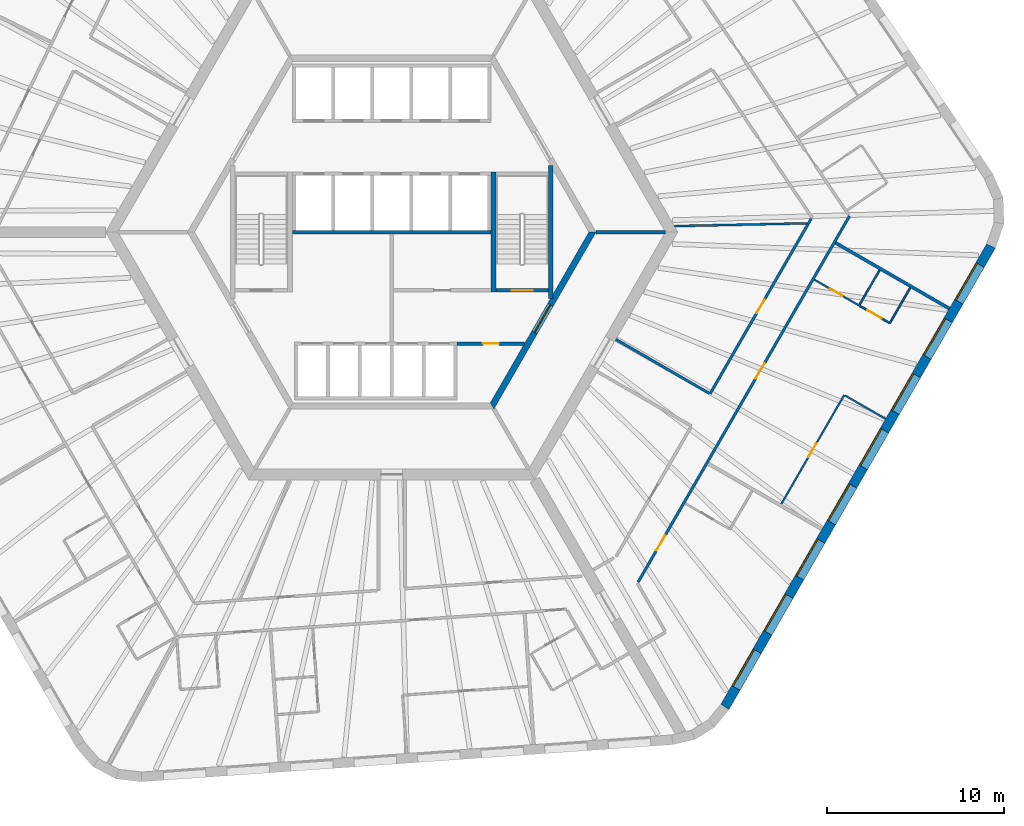
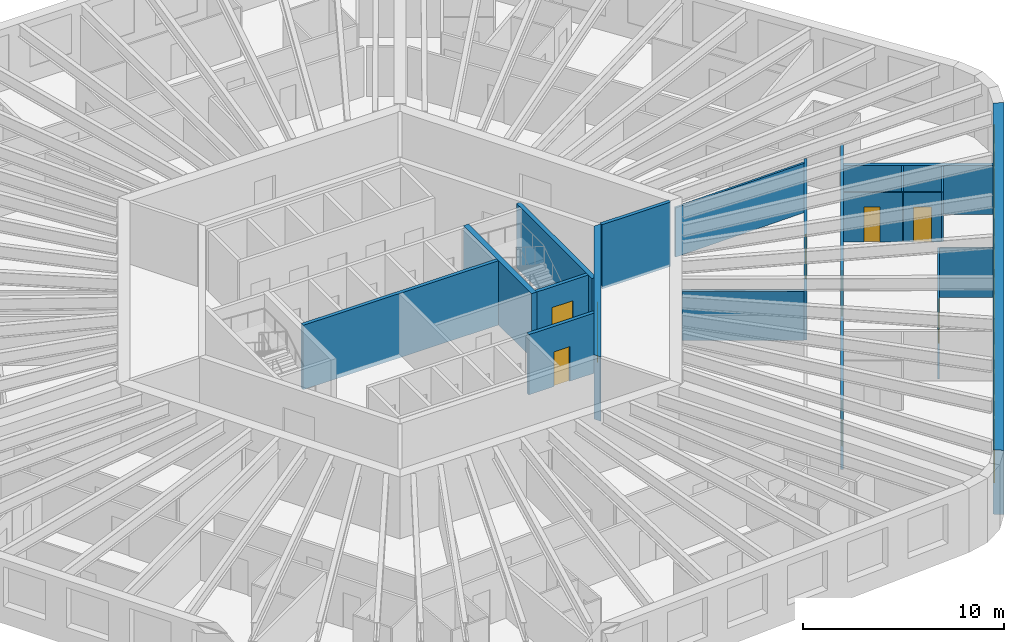
# One storey, part 6 of 12: 19 walls, 9 doors, 8 windows, 17 openings.
"""IFC4 building model written with IfcOpenShell, lengths in metres."""

from ifc_helpers import new_model, si_unit, direction, frame, frame_2d, origin, place, context, subcontext, project, spatial, polyline, rectangle, outline, extrude, material, layer, layer_set, type_object, element, fill, save


model = new_model("IFC4")

# Units and contexts
model_context = context("Model", 3, precision=1e-05, world=origin(), true_north=direction((0.0, 1.0)))
body_context = subcontext(model_context, "Body", "Model", "MODEL_VIEW")
ifc_project = project(units=[si_unit("LENGTHUNIT", "METRE"), si_unit("AREAUNIT", "SQUARE_METRE"), si_unit("VOLUMEUNIT", "CUBIC_METRE"), si_unit("PLANEANGLEUNIT", "RADIAN"), si_unit("MASSUNIT", "GRAM", prefix="KILO")], contexts=[model_context])

# Site, building, storey
site_placement = place(None, origin())
site = spatial("IfcSite", under=ifc_project, at=site_placement, CompositionType="ELEMENT")
building_placement = place(site_placement, origin())
building = spatial("IfcBuilding", under=site, at=building_placement, Name="Tarnside Tower", CompositionType="ELEMENT")
storey_placement = place(building_placement, frame((0.0, 0.0, 127.199951171875)))
storey = spatial("IfcBuildingStorey", under=building, at=storey_placement, Name="L29", CompositionType="ELEMENT", Elevation=127.199951171875)

# Wall, opening, door
ifc_material_1 = material(Name="Gypsum board partition on steel studs", Category="steel")
ifc_layer_1 = layer(ifc_material_1, 0.10009765625)
ifc_layer_set_1 = layer_set([ifc_layer_1], Name="Bathroom wall 100")
wall_type_1 = type_object("IfcWallType", Name="Bathroom wall 100", PredefinedType="PARTITIONING", material=ifc_layer_set_1)
wall_1_placement = place(storey_placement, frame((26.412841796875, -4.151611328125, 0.0), z_axis=(0.0, 0.0, 1.0), x_axis=(-0.86601045545, 0.500025890382, 0.0)))
wall_1 = element("IfcWall", 1, at=wall_1_placement, inside=storey, type_object=wall_type_1, Name="Bathroom wall 09148", PredefinedType="PARTITIONING", context=body_context, shape_type="SweptSolid", body=[
    extrude(rectangle(XDim=2.925048828125, YDim=0.10009765625, at=frame_2d((1.46240234375, 0.0))), origin(), (0.0, 0.0, 1.0), 2.98779296875),
])
opening_1_placement = place(wall_1_placement, frame((1.10009765625, 0.0, 0.0)))
opening_1 = element("IfcOpeningElement", 2, at=opening_1_placement, cuts=wall_1, Name="Opening D-B1", PredefinedType="OPENING", context=body_context, shape_type="SweptSolid", body=[
    extrude(rectangle(XDim=0.800048828125, YDim=2.10009765625, at=frame_2d((0.39990234375, 1.050048828125))), frame((0.0, 0.06005859375, 0.0), z_axis=(0.0, -1.0, 0.0), x_axis=(1.0, 0.0, 0.0)), (0.0, 0.0, 1.0), 0.1201171875),
])
ifc_material_2 = material(Name="Timber door leaf", Category="wood")
door_type_1 = type_object("IfcDoorType", Name="Bathroom door 800", OperationType="NOTDEFINED", PredefinedType="DOOR", material=ifc_material_2)
door_1_placement = place(opening_1_placement, origin())
door_1 = element("IfcDoor", 3, at=door_1_placement, inside=storey, type_object=door_type_1, Name="Bathroom door 09034", OperationType="SINGLE_SWING_LEFT", OverallHeight=2.10009765625, OverallWidth=0.800048828125, PredefinedType="DOOR", context=body_context, shape_type="SweptSolid", body=[
    extrude(rectangle(XDim=0.800048828125, YDim=2.10009765625, at=frame_2d((0.39990234375, 1.050048828125))), frame((0.0, 0.02490234375, 0.0), z_axis=(0.0, -1.0, 0.0), x_axis=(1.0, 0.0, 0.0)), (0.0, 0.0, 1.0), 0.050048828125),
])
fill(opening_1, door_1)

# Wall
wall_2_placement = place(storey_placement, frame((26.43798828125, -4.1083984375, 0.0), z_axis=(0.0, 0.0, 1.0), x_axis=(0.49995000081, 0.866054268906, 0.0)))
element("IfcWall", 4, at=wall_2_placement, inside=storey, type_object=wall_type_1, Name="Bathroom wall 09154", PredefinedType="PARTITIONING", context=body_context, shape_type="SweptSolid", body=[
    extrude(rectangle(XDim=2.260009765625, YDim=0.10009765625, at=frame_2d((1.1298828125, 0.0))), origin(), (0.0, 0.0, 1.0), 2.98779296875),
])

# Wall, opening, door
ifc_material_3 = material(Name="Concrete C50/60", Category="concrete")
ifc_layer_2 = layer(ifc_material_3, 0.35009765625)
ifc_layer_set_2 = layer_set([ifc_layer_2], Name="Core block wall 350 C50/60")
wall_type_2 = type_object("IfcWallType", Name="Core block wall 350 C50/60", PredefinedType="SHEAR", material=ifc_layer_set_2)
wall_3_placement = place(storey_placement, frame((5.672607421875, -9.824951171875, -0.14990234375), z_axis=(0.0, 0.0, 1.0), x_axis=(0.499995046907, 0.866028263435, 0.0)))
wall_3 = element("IfcWall", 5, at=wall_3_placement, inside=storey, type_object=wall_type_2, Name="L29 core block wall face 5", PredefinedType="SHEAR", context=body_context, shape_type="SweptSolid", body=[
    extrude(outline(polyline([(-0.10107421875, -0.175048828125), (11.44580078125, -0.175048828125), (11.24365234375, 0.175048828125), (0.10107421875, 0.175048828125), (-0.10107421875, -0.175048828125)])), origin(), (0.0, 0.0, 1.0), 3.89990234375),
])
opening_2_placement = place(wall_3_placement, frame((4.80126953125, 0.0, 0.14990234375)))
opening_2 = element("IfcOpeningElement", 6, at=opening_2_placement, cuts=wall_3, Name="Opening CD-FFL", PredefinedType="OPENING", context=body_context, shape_type="SweptSolid", body=[
    extrude(rectangle(XDim=1.800048828125, YDim=2.39990234375, at=frame_2d((0.89990234375, 1.199951171875))), frame((0.0, 0.18505859375, 0.0), z_axis=(0.0, -1.0, 0.0), x_axis=(1.0, 0.0, 0.0)), (0.0, 0.0, 1.0), 0.3701171875),
])
ifc_material_4 = material(Name="Steel fire door", Category="steel")
door_type_2 = type_object("IfcDoorType", Name="Firefighting lobby double door FD60S 1800x2400", OperationType="NOTDEFINED", PredefinedType="DOOR", material=ifc_material_4)
door_2_placement = place(opening_2_placement, origin())
door_2 = element("IfcDoor", 7, at=door_2_placement, inside=storey, type_object=door_type_2, Name="L29 lobby block door P4", OperationType="DOUBLE_DOOR_SINGLE_SWING", OverallHeight=2.39990234375, OverallWidth=1.800048828125, PredefinedType="DOOR", context=body_context, shape_type="SweptSolid", body=[
    extrude(rectangle(XDim=1.800048828125, YDim=2.39990234375, at=frame_2d((0.89990234375, 1.199951171875))), frame((0.0, 0.02490234375, 0.0), z_axis=(0.0, -1.0, 0.0), x_axis=(1.0, 0.0, 0.0)), (0.0, 0.0, 1.0), 0.050048828125),
])
fill(opening_2, door_2)

ifc_material_5 = material(Name="Concrete C40/50", Category="concrete")
ifc_layer_3 = layer(ifc_material_5, 0.199951171875)
ifc_layer_set_3 = layer_set([ifc_layer_3], Name="Core room partition 200 C40/50")
wall_type_3 = type_object("IfcWallType", Name="Core room partition 200 C40/50", PredefinedType="PARTITIONING", material=ifc_layer_set_3)
wall_4_placement = place(storey_placement, frame((3.699951171875, -6.300048828125, 0.0), z_axis=(0.0, 0.0, 1.0), x_axis=(1.0, 0.0, 0.0)))
wall_4 = element("IfcWall", 8, at=wall_4_placement, inside=storey, type_object=wall_type_3, Name="L29 core partition R4X", PredefinedType="PARTITIONING", context=body_context, shape_type="SweptSolid", body=[
    extrude(rectangle(XDim=3.8056640625, YDim=0.199951171875, at=frame_2d((1.90283203125, 0.0))), origin(), (0.0, 0.0, 1.0), 3.650146484375),
])
opening_3_placement = place(wall_4_placement, frame((1.452880859375, 0.0, 0.0)))
opening_3 = element("IfcOpeningElement", 9, at=opening_3_placement, cuts=wall_4, Name="Opening CD-room", PredefinedType="OPENING", context=body_context, shape_type="SweptSolid", body=[
    extrude(rectangle(XDim=0.89990234375, YDim=2.10009765625, at=frame_2d((0.449951171875, 1.050048828125))), frame((0.0, 0.10986328125, 0.0), z_axis=(0.0, -1.0, 0.0), x_axis=(1.0, 0.0, 0.0)), (0.0, 0.0, 1.0), 0.219970703125),
])
door_type_3 = type_object("IfcDoorType", Name="Room door FD60 900x2100", OperationType="NOTDEFINED", PredefinedType="DOOR", material=ifc_material_4)
door_3_placement = place(opening_3_placement, origin())
door_3 = element("IfcDoor", 10, at=door_3_placement, inside=storey, type_object=door_type_3, Name="L29 core room door RX", OperationType="SINGLE_SWING_LEFT", OverallHeight=2.10009765625, OverallWidth=0.89990234375, PredefinedType="DOOR", context=body_context, shape_type="SweptSolid", body=[
    extrude(rectangle(XDim=0.89990234375, YDim=2.10009765625, at=frame_2d((0.449951171875, 1.050048828125))), frame((0.0, 0.02490234375, 0.0), z_axis=(0.0, -1.0, 0.0), x_axis=(1.0, 0.0, 0.0)), (0.0, 0.0, 1.0), 0.050048828125),
])
fill(opening_3, door_3)

# Wall, openings, doors
ifc_layer_4 = layer(ifc_material_1, 0.14990234375)
ifc_layer_set_4 = layer_set([ifc_layer_4], Name="Corridor wall 150 EI 60")
wall_type_4 = type_object("IfcWallType", Name="Corridor wall 150 EI 60", PredefinedType="PARTITIONING", material=ifc_layer_set_4)
wall_5_placement = place(storey_placement, frame((13.928466796875, -19.77490234375, 0.0), z_axis=(0.0, 0.0, 1.0), x_axis=(0.50000450071, 0.866022805283, 0.0)))
wall_5 = element("IfcWall", 11, at=wall_5_placement, inside=storey, type_object=wall_type_4, Name="Corridor wall 09056", PredefinedType="PARTITIONING", context=body_context, shape_type="SweptSolid", body=[
    extrude(rectangle(XDim=23.877197265625, YDim=0.14990234375, at=frame_2d((11.9384765625, 0.0))), origin(), (0.0, 0.0, 1.0), 2.98779296875),
])
opening_4_placement = place(wall_5_placement, frame((2.04296875, 0.0, 0.0)))
opening_4 = element("IfcOpeningElement", 12, at=opening_4_placement, cuts=wall_5, Name="Opening D-E1", PredefinedType="OPENING", context=body_context, shape_type="SweptSolid", body=[
    extrude(rectangle(XDim=1.0, YDim=2.10009765625, at=frame_2d((0.5, 1.050048828125))), frame((0.0, 0.0849609375, 0.0), z_axis=(0.0, -1.0, 0.0), x_axis=(1.0, 0.0, 0.0)), (0.0, 0.0, 1.0), 0.169921875),
])
opening_5_placement = place(wall_5_placement, frame((13.2724609375, 0.0, 0.0)))
opening_5 = element("IfcOpeningElement", 13, at=opening_5_placement, cuts=wall_5, Name="Opening D-E1", PredefinedType="OPENING", context=body_context, shape_type="SweptSolid", body=[
    extrude(rectangle(XDim=1.0, YDim=2.10009765625, at=frame_2d((0.5, 1.050048828125))), frame((0.0, 0.0849609375, 0.0), z_axis=(0.0, -1.0, 0.0), x_axis=(1.0, 0.0, 0.0)), (0.0, 0.0, 1.0), 0.169921875),
])
door_type_4 = type_object("IfcDoorType", Name="Unit entrance door 1000 FD30S", OperationType="NOTDEFINED", PredefinedType="DOOR", material=ifc_material_2)
door_4_placement = place(opening_4_placement, origin())
door_4 = element("IfcDoor", 14, at=door_4_placement, inside=storey, type_object=door_type_4, Name="Unit door 09031", OperationType="SINGLE_SWING_RIGHT", OverallHeight=2.10009765625, OverallWidth=1.0, PredefinedType="DOOR", context=body_context, shape_type="SweptSolid", body=[
    extrude(rectangle(XDim=1.0, YDim=2.10009765625, at=frame_2d((0.5, 1.050048828125))), frame((0.0, 0.02490234375, 0.0), z_axis=(0.0, -1.0, 0.0), x_axis=(1.0, 0.0, 0.0)), (0.0, 0.0, 1.0), 0.050048828125),
])
fill(opening_4, door_4)
door_5_placement = place(opening_5_placement, origin())
door_5 = element("IfcDoor", 15, at=door_5_placement, inside=storey, type_object=door_type_4, Name="Unit door 09033", OperationType="SINGLE_SWING_RIGHT", OverallHeight=2.10009765625, OverallWidth=1.0, PredefinedType="DOOR", context=body_context, shape_type="SweptSolid", body=[
    extrude(rectangle(XDim=1.0, YDim=2.10009765625, at=frame_2d((0.5, 1.050048828125))), frame((0.0, 0.02490234375, 0.0), z_axis=(0.0, -1.0, 0.0), x_axis=(1.0, 0.0, 0.0)), (0.0, 0.0, 1.0), 0.050048828125),
])
fill(opening_5, door_5)

# Wall, opening, door
wall_6_placement = place(storey_placement, frame((23.704345703125, 0.757080078125, 0.0), z_axis=(0.0, 0.0, 1.0), x_axis=(-0.500010297365, -0.866019458516, 0.0)))
wall_6 = element("IfcWall", 16, at=wall_6_placement, inside=storey, type_object=wall_type_4, Name="Corridor wall 09071", PredefinedType="PARTITIONING", context=body_context, shape_type="SweptSolid", body=[
    extrude(rectangle(XDim=11.428955078125, YDim=0.14990234375, at=frame_2d((5.71435546875, 0.0))), origin(), (0.0, 0.0, 1.0), 2.98779296875),
])
opening_6_placement = place(wall_6_placement, frame((5.264404296875, 0.0, 0.0)))
opening_6 = element("IfcOpeningElement", 17, at=opening_6_placement, cuts=wall_6, Name="Opening D-S1", PredefinedType="OPENING", context=body_context, shape_type="SweptSolid", body=[
    extrude(rectangle(XDim=0.89990234375, YDim=2.10009765625, at=frame_2d((0.449951171875, 1.050048828125))), frame((0.0, 0.0849609375, 0.0), z_axis=(0.0, -1.0, 0.0), x_axis=(1.0, 0.0, 0.0)), (0.0, 0.0, 1.0), 0.169921875),
])
door_type_5 = type_object("IfcDoorType", Name="Service room door 900 FD30S", OperationType="NOTDEFINED", PredefinedType="DOOR", material=ifc_material_2)
door_6_placement = place(opening_6_placement, origin())
door_6 = element("IfcDoor", 18, at=door_6_placement, inside=storey, type_object=door_type_5, Name="Service door 09053", OperationType="SINGLE_SWING_RIGHT", OverallHeight=2.10009765625, OverallWidth=0.89990234375, PredefinedType="DOOR", context=body_context, shape_type="SweptSolid", body=[
    extrude(rectangle(XDim=0.89990234375, YDim=2.10009765625, at=frame_2d((0.449951171875, 1.050048828125))), frame((0.0, 0.02490234375, 0.0), z_axis=(0.0, -1.0, 0.0), x_axis=(1.0, 0.0, 0.0)), (0.0, 0.0, 1.0), 0.050048828125),
])
fill(opening_6, door_6)

# Walls
wall_7_placement = place(storey_placement, frame((17.9248046875, -9.103271484375, 0.0), z_axis=(0.0, 0.0, 1.0), x_axis=(-0.866013586754, 0.500020467139, 0.0)))
element("IfcWall", 19, at=wall_7_placement, inside=storey, type_object=wall_type_4, Name="Corridor wall 09072", PredefinedType="PARTITIONING", context=body_context, shape_type="SweptSolid", body=[
    extrude(rectangle(XDim=6.074951171875, YDim=0.14990234375, at=frame_2d((3.03759765625, 0.0))), origin(), (0.0, 0.0, 1.0), 2.98779296875),
])
ifc_layer_5 = layer(ifc_material_1, 0.179931640625)
ifc_layer_set_5 = layer_set([ifc_layer_5], Name="Demising wall 180 EI 60")
wall_type_5 = type_object("IfcWallType", Name="Demising wall 180 EI 60", PredefinedType="PARTITIONING", material=ifc_layer_set_5)
wall_8_placement = place(storey_placement, frame((31.510009765625, -4.322998046875, 0.0), z_axis=(0.0, 0.0, 1.0), x_axis=(-0.866028983062, 0.499993800457, 0.0)))
element("IfcWall", 20, at=wall_8_placement, inside=storey, type_object=wall_type_5, Name="Demising wall 09153", PredefinedType="PARTITIONING", context=body_context, shape_type="SweptSolid", body=[
    extrude(rectangle(XDim=7.4248046875, YDim=0.179931640625, at=frame_2d((3.71240234375, 0.0))), origin(), (0.0, 0.0, 1.0), 2.98779296875),
])
ifc_layer_6 = layer(ifc_material_5, 0.199951171875)
ifc_layer_set_6 = layer_set([ifc_layer_6], Name="Lift shaft wall 200 C40/50")
wall_type_6 = type_object("IfcWallType", Name="Lift shaft wall 200 C40/50", PredefinedType="SHEAR", material=ifc_layer_set_6)
wall_9_placement = place(storey_placement, frame((-5.60009765625, 0.0, -0.25), z_axis=(0.0, 0.0, 1.0), x_axis=(1.0, 0.0, 0.0)))
element("IfcWall", 21, at=wall_9_placement, inside=storey, type_object=wall_type_6, Name="L29 lift shaft back wall R2", PredefinedType="SHEAR", context=body_context, shape_type="SweptSolid", body=[
    extrude(rectangle(XDim=11.2001953125, YDim=0.199951171875, at=frame_2d((5.60009765625, 0.0))), origin(), (0.0, 0.0, 1.0), 3.900146484375),
])
wall_10_placement = place(storey_placement, frame((11.547119140625, 0.0, -0.14990234375), z_axis=(0.0, 0.0, 1.0), x_axis=(1.0, 0.0, 0.0)))
element("IfcWall", 22, at=wall_10_placement, inside=storey, type_object=wall_type_6, Name="L29 core partition AR0", PredefinedType="SHEAR", context=body_context, shape_type="SweptSolid", body=[
    extrude(rectangle(XDim=3.92578125, YDim=0.199951171875, at=frame_2d((1.962890625, 0.0))), origin(), (0.0, 0.0, 1.0), 3.89990234375),
])

# Wall, opening, door
wall_11_placement = place(storey_placement, frame((5.89990234375, -3.300048828125, -0.25), z_axis=(0.0, 0.0, 1.0), x_axis=(1.0, 0.0, 0.0)))
wall_11 = element("IfcWall", 23, at=wall_11_placement, inside=storey, type_object=wall_type_6, Name="L29 stair 1 enclosure cap wall s", PredefinedType="SHEAR", context=body_context, shape_type="SweptSolid", body=[
    extrude(rectangle(XDim=2.9501953125, YDim=0.199951171875, at=frame_2d((1.47509765625, 0.0))), origin(), (0.0, 0.0, 1.0), 3.900146484375),
])
opening_7_placement = place(wall_11_placement, frame((0.875, 0.0, 0.25)))
opening_7 = element("IfcOpeningElement", 24, at=opening_7_placement, cuts=wall_11, Name="Opening CD-STR", PredefinedType="OPENING", context=body_context, shape_type="SweptSolid", body=[
    extrude(rectangle(XDim=1.199951171875, YDim=2.39990234375, at=frame_2d((0.60009765625, 1.199951171875))), frame((0.0, 0.10986328125, 0.0), z_axis=(0.0, -1.0, 0.0), x_axis=(1.0, 0.0, 0.0)), (0.0, 0.0, 1.0), 0.219970703125),
])
door_type_6 = type_object("IfcDoorType", Name="Stair door FD60S 1200x2400", OperationType="NOTDEFINED", PredefinedType="DOOR", material=ifc_material_4)
door_7_placement = place(opening_7_placement, origin())
door_7 = element("IfcDoor", 25, at=door_7_placement, inside=storey, type_object=door_type_6, Name="L29 stair 1 door", OperationType="SINGLE_SWING_LEFT", OverallHeight=2.39990234375, OverallWidth=1.199951171875, PredefinedType="DOOR", context=body_context, shape_type="SweptSolid", body=[
    extrude(rectangle(XDim=1.199951171875, YDim=2.39990234375, at=frame_2d((0.60009765625, 1.199951171875))), frame((0.0, 0.02490234375, 0.0), z_axis=(0.0, -1.0, 0.0), x_axis=(1.0, 0.0, 0.0)), (0.0, 0.0, 1.0), 0.050048828125),
])
fill(opening_7, door_7)

# Wall
ifc_layer_7 = layer(ifc_material_1, 0.10009765625)
ifc_layer_set_7 = layer_set([ifc_layer_7], Name="Partition 100")
wall_type_7 = type_object("IfcWallType", Name="Partition 100", PredefinedType="PARTITIONING", material=ifc_layer_set_7)
wall_12_placement = place(storey_placement, frame((29.2998046875, -3.151123046875, 0.0), z_axis=(0.0, 0.0, 1.0), x_axis=(-0.499935939261, -0.866062386111, 0.0)))
element("IfcWall", 26, at=wall_12_placement, inside=storey, type_object=wall_type_7, Name="Partition wall 09149", PredefinedType="PARTITIONING", context=body_context, shape_type="SweptSolid", body=[
    extrude(rectangle(XDim=2.309814453125, YDim=0.10009765625, at=frame_2d((1.15478515625, 0.0))), origin(), (0.0, 0.0, 1.0), 2.98779296875),
])

# Wall, opening, door
wall_13_placement = place(storey_placement, frame((28.1015625, -5.12646484375, 0.0), z_axis=(0.0, 0.0, 1.0), x_axis=(-0.866044365799, 0.499967155389, 0.0)))
wall_13 = element("IfcWall", 27, at=wall_13_placement, inside=storey, type_object=wall_type_7, Name="Partition wall 09150", PredefinedType="PARTITIONING", context=body_context, shape_type="SweptSolid", body=[
    extrude(rectangle(XDim=1.900146484375, YDim=0.10009765625, at=frame_2d((0.9501953125, 0.0))), origin(), (0.0, 0.0, 1.0), 2.98779296875),
])
opening_8_placement = place(wall_13_placement, frame((0.5, 0.0, 0.0)))
opening_8 = element("IfcOpeningElement", 28, at=opening_8_placement, cuts=wall_13, Name="Opening D-I1", PredefinedType="OPENING", context=body_context, shape_type="SweptSolid", body=[
    extrude(rectangle(XDim=0.89990234375, YDim=2.10009765625, at=frame_2d((0.449951171875, 1.050048828125))), frame((0.0, 0.06005859375, 0.0), z_axis=(0.0, -1.0, 0.0), x_axis=(1.0, 0.0, 0.0)), (0.0, 0.0, 1.0), 0.1201171875),
])
door_type_7 = type_object("IfcDoorType", Name="Internal door 900", OperationType="NOTDEFINED", PredefinedType="DOOR", material=ifc_material_2)
door_8_placement = place(opening_8_placement, origin())
door_8 = element("IfcDoor", 29, at=door_8_placement, inside=storey, type_object=door_type_7, Name="Internal door 09035", OperationType="SINGLE_SWING_RIGHT", OverallHeight=2.10009765625, OverallWidth=0.89990234375, PredefinedType="DOOR", context=body_context, shape_type="SweptSolid", body=[
    extrude(rectangle(XDim=0.89990234375, YDim=2.10009765625, at=frame_2d((0.449951171875, 1.050048828125))), frame((0.0, 0.02490234375, 0.0), z_axis=(0.0, -1.0, 0.0), x_axis=(1.0, 0.0, 0.0)), (0.0, 0.0, 1.0), 0.050048828125),
])
fill(opening_8, door_8)

wall_14_placement = place(storey_placement, frame((22.0166015625, -15.365966796875, 0.0), z_axis=(0.0, 0.0, 1.0), x_axis=(0.5000167099, 0.866015756104, 0.0)))
wall_14 = element("IfcWall", 30, at=wall_14_placement, inside=storey, type_object=wall_type_7, Name="Partition wall 09151", PredefinedType="PARTITIONING", context=body_context, shape_type="SweptSolid", body=[
    extrude(rectangle(XDim=7.110107421875, YDim=0.10009765625, at=frame_2d((3.55517578125, 0.0))), origin(), (0.0, 0.0, 1.0), 2.98779296875),
])
opening_9_placement = place(wall_14_placement, frame((3.06005859375, 0.0, 0.0)))
opening_9 = element("IfcOpeningElement", 31, at=opening_9_placement, cuts=wall_14, Name="Opening D-I1", PredefinedType="OPENING", context=body_context, shape_type="SweptSolid", body=[
    extrude(rectangle(XDim=0.89990234375, YDim=2.10009765625, at=frame_2d((0.449951171875, 1.050048828125))), frame((0.0, 0.06005859375, 0.0), z_axis=(0.0, -1.0, 0.0), x_axis=(1.0, 0.0, 0.0)), (0.0, 0.0, 1.0), 0.1201171875),
])
door_9_placement = place(opening_9_placement, origin())
door_9 = element("IfcDoor", 32, at=door_9_placement, inside=storey, type_object=door_type_7, Name="Internal door 09036", OperationType="SINGLE_SWING_RIGHT", OverallHeight=2.10009765625, OverallWidth=0.89990234375, PredefinedType="DOOR", context=body_context, shape_type="SweptSolid", body=[
    extrude(rectangle(XDim=0.89990234375, YDim=2.10009765625, at=frame_2d((0.449951171875, 1.050048828125))), frame((0.0, 0.02490234375, 0.0), z_axis=(0.0, -1.0, 0.0), x_axis=(1.0, 0.0, 0.0)), (0.0, 0.0, 1.0), 0.050048828125),
])
fill(opening_9, door_9)

# Walls
wall_15_placement = place(storey_placement, frame((25.614990234375, -9.2333984375, 0.0), z_axis=(0.0, 0.0, 1.0), x_axis=(0.865989200783, -0.500062700197, 0.0)))
element("IfcWall", 33, at=wall_15_placement, inside=storey, type_object=wall_type_7, Name="Partition wall 09152", PredefinedType="PARTITIONING", context=body_context, shape_type="SweptSolid", body=[
    extrude(rectangle(XDim=2.650146484375, YDim=0.10009765625, at=frame_2d((1.3251953125, 0.0))), origin(), (0.0, 0.0, 1.0), 2.98779296875),
])
ifc_layer_8 = layer(ifc_material_1, 0.1201171875)
ifc_layer_set_8 = layer_set([ifc_layer_8], Name="Service room wall 120 EI 60")
wall_type_8 = type_object("IfcWallType", Name="Service room wall 120 EI 60", PredefinedType="PARTITIONING", material=ifc_layer_set_8)
wall_16_placement = place(storey_placement, frame((23.465576171875, 0.493408203125, 0.0), z_axis=(0.0, 0.0, 1.0), x_axis=(-0.999779281543, -0.021009240783, 0.0)))
element("IfcWall", 34, at=wall_16_placement, inside=storey, type_object=wall_type_8, Name="Service wall 09176", PredefinedType="PARTITIONING", context=body_context, shape_type="SweptSolid", body=[
    extrude(rectangle(XDim=7.495361328125, YDim=0.1201171875, at=frame_2d((3.74755859375, 0.0))), origin(), (0.0, 0.0, 1.0), 2.98779296875),
])
ifc_layer_9 = layer(ifc_material_5, 0.25)
ifc_layer_set_9 = layer_set([ifc_layer_9], Name="Stair enclosure wall 250 C40/50")
wall_type_9 = type_object("IfcWallType", Name="Stair enclosure wall 250 C40/50", PredefinedType="SHEAR", material=ifc_layer_set_9)
wall_17_placement = place(storey_placement, frame((8.97509765625, -3.7548828125, -0.25), z_axis=(0.0, 0.0, 1.0), x_axis=(0.0, 1.0, 0.0)))
element("IfcWall", 35, at=wall_17_placement, inside=storey, type_object=wall_type_9, Name="L29 stair 1 enclosure wall outer", PredefinedType="SHEAR", context=body_context, shape_type="SweptSolid", body=[
    extrude(rectangle(XDim=7.509765625, YDim=0.25, at=frame_2d((3.7548828125, 0.0))), origin(), (0.0, 0.0, 1.0), 3.900146484375),
])
ifc_layer_10 = layer(ifc_material_5, 0.300048828125)
ifc_layer_set_10 = layer_set([ifc_layer_10], Name="Stair enclosure wall 300 C40/50")
wall_type_10 = type_object("IfcWallType", Name="Stair enclosure wall 300 C40/50", PredefinedType="SHEAR", material=ifc_layer_set_10)
wall_18_placement = place(storey_placement, frame((5.75, -3.39990234375, -0.25), z_axis=(0.0, 0.0, 1.0), x_axis=(0.0, 1.0, 0.0)))
element("IfcWall", 36, at=wall_18_placement, inside=storey, type_object=wall_type_10, Name="L29 stair 1 enclosure wall inner", PredefinedType="SHEAR", context=body_context, shape_type="SweptSolid", body=[
    extrude(rectangle(XDim=6.7998046875, YDim=0.300048828125, at=frame_2d((3.39990234375, 0.0))), origin(), (0.0, 0.0, 1.0), 3.900146484375),
])

# Wall, openings, windows
ifc_material_6 = material(Name="Facing brick", Category="masonry")
ifc_layer_11 = layer(ifc_material_6, 0.10205078125)
ifc_material_7 = material(Name="Concrete C60/75 precast", Category="concrete")
ifc_layer_12 = layer(ifc_material_7, 0.347900390625)
ifc_material_8 = material(Name="Mineral wool insulation")
ifc_layer_13 = layer(ifc_material_8, 0.10009765625)
ifc_layer_set_11 = layer_set([ifc_layer_11, ifc_layer_12, ifc_layer_13], Name="Tube wall 550 brick faced")
wall_type_11 = type_object("IfcWallType", Name="Tube wall 550 brick faced", PredefinedType="SOLIDWALL", material=ifc_layer_set_11)
wall_19_placement = place(storey_placement, frame((18.830322265625, -26.834716796875, -0.14990234375), z_axis=(0.0, 0.0, 1.0), x_axis=(0.500003800416, 0.866023209602, 0.0)))
wall_19 = element("IfcWall", 37, at=wall_19_placement, inside=storey, type_object=wall_type_11, Name="Tube wall L29 F5 flush 16", PredefinedType="SOLIDWALL", context=body_context, shape_type="SweptSolid", body=[
    extrude(outline(polyline([(-0.0224609375, -0.27490234375), (30.0966796875, -0.27490234375), (30.04541015625, 0.27490234375), (0.0224609375, 0.27490234375), (-0.0224609375, -0.27490234375)])), origin(), (0.0, 0.0, 1.0), 3.89990234375),
])
opening_10_placement = place(wall_19_placement, frame((1.235595703125, 0.0, 1.050048828125)))
opening_10 = element("IfcOpeningElement", 38, at=opening_10_placement, cuts=wall_19, Name="Opening WH", PredefinedType="OPENING", context=body_context, shape_type="SweptSolid", body=[
    extrude(rectangle(XDim=2.39990234375, YDim=2.39990234375, at=frame_2d((1.199951171875, 1.199951171875))), frame((0.0, 0.28515625, 0.0), z_axis=(0.0, -1.0, 0.0), x_axis=(1.0, 0.0, 0.0)), (0.0, 0.0, 1.0), 0.570068359375),
])
opening_11_placement = place(wall_19_placement, frame((4.83544921875, 0.0, 1.050048828125)))
opening_11 = element("IfcOpeningElement", 39, at=opening_11_placement, cuts=wall_19, Name="Opening WH", PredefinedType="OPENING", context=body_context, shape_type="SweptSolid", body=[
    extrude(rectangle(XDim=2.39990234375, YDim=2.39990234375, at=frame_2d((1.199951171875, 1.199951171875))), frame((0.0, 0.28515625, 0.0), z_axis=(0.0, -1.0, 0.0), x_axis=(1.0, 0.0, 0.0)), (0.0, 0.0, 1.0), 0.570068359375),
])
opening_12_placement = place(wall_19_placement, frame((8.435546875, 0.0, 1.050048828125)))
opening_12 = element("IfcOpeningElement", 40, at=opening_12_placement, cuts=wall_19, Name="Opening WH", PredefinedType="OPENING", context=body_context, shape_type="SweptSolid", body=[
    extrude(rectangle(XDim=2.39990234375, YDim=2.39990234375, at=frame_2d((1.199951171875, 1.199951171875))), frame((0.0, 0.28515625, 0.0), z_axis=(0.0, -1.0, 0.0), x_axis=(1.0, 0.0, 0.0)), (0.0, 0.0, 1.0), 0.570068359375),
])
opening_13_placement = place(wall_19_placement, frame((12.035400390625, 0.0, 1.050048828125)))
opening_13 = element("IfcOpeningElement", 41, at=opening_13_placement, cuts=wall_19, Name="Opening WH", PredefinedType="OPENING", context=body_context, shape_type="SweptSolid", body=[
    extrude(rectangle(XDim=2.39990234375, YDim=2.39990234375, at=frame_2d((1.199951171875, 1.199951171875))), frame((0.0, 0.28515625, 0.0), z_axis=(0.0, -1.0, 0.0), x_axis=(1.0, 0.0, 0.0)), (0.0, 0.0, 1.0), 0.570068359375),
])
opening_14_placement = place(wall_19_placement, frame((15.635498046875, 0.0, 1.050048828125)))
opening_14 = element("IfcOpeningElement", 42, at=opening_14_placement, cuts=wall_19, Name="Opening WH", PredefinedType="OPENING", context=body_context, shape_type="SweptSolid", body=[
    extrude(rectangle(XDim=2.39990234375, YDim=2.39990234375, at=frame_2d((1.199951171875, 1.199951171875))), frame((0.0, 0.28515625, 0.0), z_axis=(0.0, -1.0, 0.0), x_axis=(1.0, 0.0, 0.0)), (0.0, 0.0, 1.0), 0.570068359375),
])
opening_15_placement = place(wall_19_placement, frame((19.235595703125, 0.0, 1.050048828125)))
opening_15 = element("IfcOpeningElement", 43, at=opening_15_placement, cuts=wall_19, Name="Opening WH", PredefinedType="OPENING", context=body_context, shape_type="SweptSolid", body=[
    extrude(rectangle(XDim=2.39990234375, YDim=2.39990234375, at=frame_2d((1.199951171875, 1.199951171875))), frame((0.0, 0.28515625, 0.0), z_axis=(0.0, -1.0, 0.0), x_axis=(1.0, 0.0, 0.0)), (0.0, 0.0, 1.0), 0.570068359375),
])
opening_16_placement = place(wall_19_placement, frame((22.83544921875, 0.0, 1.050048828125)))
opening_16 = element("IfcOpeningElement", 44, at=opening_16_placement, cuts=wall_19, Name="Opening WH", PredefinedType="OPENING", context=body_context, shape_type="SweptSolid", body=[
    extrude(rectangle(XDim=2.39990234375, YDim=2.39990234375, at=frame_2d((1.199951171875, 1.199951171875))), frame((0.0, 0.28515625, 0.0), z_axis=(0.0, -1.0, 0.0), x_axis=(1.0, 0.0, 0.0)), (0.0, 0.0, 1.0), 0.570068359375),
])
opening_17_placement = place(wall_19_placement, frame((26.435546875, 0.0, 1.050048828125)))
opening_17 = element("IfcOpeningElement", 45, at=opening_17_placement, cuts=wall_19, Name="Opening WH", PredefinedType="OPENING", context=body_context, shape_type="SweptSolid", body=[
    extrude(rectangle(XDim=2.39990234375, YDim=2.39990234375, at=frame_2d((1.199951171875, 1.199951171875))), frame((0.0, 0.28515625, 0.0), z_axis=(0.0, -1.0, 0.0), x_axis=(1.0, 0.0, 0.0)), (0.0, 0.0, 1.0), 0.570068359375),
])
ifc_material_9 = material(Name="Aluminium-framed double glazing", Category="aluminium")
window_type = type_object("IfcWindowType", Name="Hotel window 2400 x 2400", PartitioningType="DOUBLE_PANEL_VERTICAL", PredefinedType="WINDOW", material=ifc_material_9)
window_1_placement = place(opening_10_placement, frame((0.0, 0.205078125, 0.0)))
window_1 = element("IfcWindow", 46, at=window_1_placement, inside=storey, type_object=window_type, Name="E.WN.L29.F5.00", OverallHeight=2.39990234375, OverallWidth=2.39990234375, PartitioningType="DOUBLE_PANEL_VERTICAL", PredefinedType="WINDOW", context=body_context, shape_type="SweptSolid", body=[
    extrude(rectangle(XDim=2.39990234375, YDim=2.39990234375, at=frame_2d((1.199951171875, 1.199951171875))), frame((0.0, 0.030029296875, 0.0), z_axis=(0.0, -1.0, 0.0), x_axis=(1.0, 0.0, 0.0)), (0.0, 0.0, 1.0), 0.06005859375),
])
fill(opening_10, window_1)
window_2_placement = place(opening_11_placement, frame((0.0, 0.205078125, 0.0)))
window_2 = element("IfcWindow", 47, at=window_2_placement, inside=storey, type_object=window_type, Name="E.WN.L29.F5.01", OverallHeight=2.39990234375, OverallWidth=2.39990234375, PartitioningType="DOUBLE_PANEL_VERTICAL", PredefinedType="WINDOW", context=body_context, shape_type="SweptSolid", body=[
    extrude(rectangle(XDim=2.39990234375, YDim=2.39990234375, at=frame_2d((1.199951171875, 1.199951171875))), frame((0.0, 0.030029296875, 0.0), z_axis=(0.0, -1.0, 0.0), x_axis=(1.0, 0.0, 0.0)), (0.0, 0.0, 1.0), 0.06005859375),
])
fill(opening_11, window_2)
window_3_placement = place(opening_12_placement, frame((0.0, 0.205078125, 0.0)))
window_3 = element("IfcWindow", 48, at=window_3_placement, inside=storey, type_object=window_type, Name="E.WN.L29.F5.02", OverallHeight=2.39990234375, OverallWidth=2.39990234375, PartitioningType="DOUBLE_PANEL_VERTICAL", PredefinedType="WINDOW", context=body_context, shape_type="SweptSolid", body=[
    extrude(rectangle(XDim=2.39990234375, YDim=2.39990234375, at=frame_2d((1.199951171875, 1.199951171875))), frame((0.0, 0.030029296875, 0.0), z_axis=(0.0, -1.0, 0.0), x_axis=(1.0, 0.0, 0.0)), (0.0, 0.0, 1.0), 0.06005859375),
])
fill(opening_12, window_3)
window_4_placement = place(opening_13_placement, frame((0.0, 0.205078125, 0.0)))
window_4 = element("IfcWindow", 49, at=window_4_placement, inside=storey, type_object=window_type, Name="E.WN.L29.F5.03", OverallHeight=2.39990234375, OverallWidth=2.39990234375, PartitioningType="DOUBLE_PANEL_VERTICAL", PredefinedType="WINDOW", context=body_context, shape_type="SweptSolid", body=[
    extrude(rectangle(XDim=2.39990234375, YDim=2.39990234375, at=frame_2d((1.199951171875, 1.199951171875))), frame((0.0, 0.030029296875, 0.0), z_axis=(0.0, -1.0, 0.0), x_axis=(1.0, 0.0, 0.0)), (0.0, 0.0, 1.0), 0.06005859375),
])
fill(opening_13, window_4)
window_5_placement = place(opening_14_placement, frame((0.0, 0.205078125, 0.0)))
window_5 = element("IfcWindow", 50, at=window_5_placement, inside=storey, type_object=window_type, Name="E.WN.L29.F5.04", OverallHeight=2.39990234375, OverallWidth=2.39990234375, PartitioningType="DOUBLE_PANEL_VERTICAL", PredefinedType="WINDOW", context=body_context, shape_type="SweptSolid", body=[
    extrude(rectangle(XDim=2.39990234375, YDim=2.39990234375, at=frame_2d((1.199951171875, 1.199951171875))), frame((0.0, 0.030029296875, 0.0), z_axis=(0.0, -1.0, 0.0), x_axis=(1.0, 0.0, 0.0)), (0.0, 0.0, 1.0), 0.06005859375),
])
fill(opening_14, window_5)
window_6_placement = place(opening_15_placement, frame((0.0, 0.205078125, 0.0)))
window_6 = element("IfcWindow", 51, at=window_6_placement, inside=storey, type_object=window_type, Name="E.WN.L29.F5.05", OverallHeight=2.39990234375, OverallWidth=2.39990234375, PartitioningType="DOUBLE_PANEL_VERTICAL", PredefinedType="WINDOW", context=body_context, shape_type="SweptSolid", body=[
    extrude(rectangle(XDim=2.39990234375, YDim=2.39990234375, at=frame_2d((1.199951171875, 1.199951171875))), frame((0.0, 0.030029296875, 0.0), z_axis=(0.0, -1.0, 0.0), x_axis=(1.0, 0.0, 0.0)), (0.0, 0.0, 1.0), 0.06005859375),
])
fill(opening_15, window_6)
window_7_placement = place(opening_16_placement, frame((0.0, 0.205078125, 0.0)))
window_7 = element("IfcWindow", 52, at=window_7_placement, inside=storey, type_object=window_type, Name="E.WN.L29.F5.06", OverallHeight=2.39990234375, OverallWidth=2.39990234375, PartitioningType="DOUBLE_PANEL_VERTICAL", PredefinedType="WINDOW", context=body_context, shape_type="SweptSolid", body=[
    extrude(rectangle(XDim=2.39990234375, YDim=2.39990234375, at=frame_2d((1.199951171875, 1.199951171875))), frame((0.0, 0.030029296875, 0.0), z_axis=(0.0, -1.0, 0.0), x_axis=(1.0, 0.0, 0.0)), (0.0, 0.0, 1.0), 0.06005859375),
])
fill(opening_16, window_7)
window_8_placement = place(opening_17_placement, frame((0.0, 0.205078125, 0.0)))
window_8 = element("IfcWindow", 53, at=window_8_placement, inside=storey, type_object=window_type, Name="E.WN.L29.F5.07", OverallHeight=2.39990234375, OverallWidth=2.39990234375, PartitioningType="DOUBLE_PANEL_VERTICAL", PredefinedType="WINDOW", context=body_context, shape_type="SweptSolid", body=[
    extrude(rectangle(XDim=2.39990234375, YDim=2.39990234375, at=frame_2d((1.199951171875, 1.199951171875))), frame((0.0, 0.030029296875, 0.0), z_axis=(0.0, -1.0, 0.0), x_axis=(1.0, 0.0, 0.0)), (0.0, 0.0, 1.0), 0.06005859375),
])
fill(opening_17, window_8)

save(model, "model.ifc")
